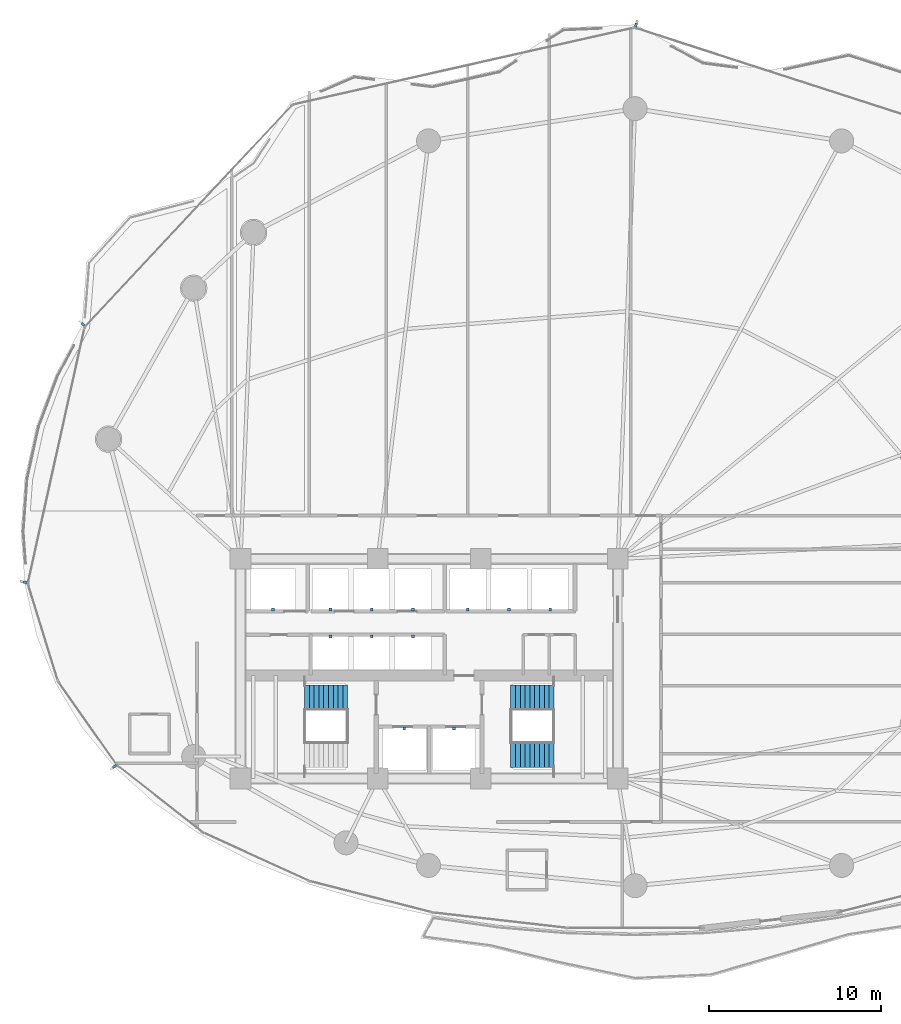
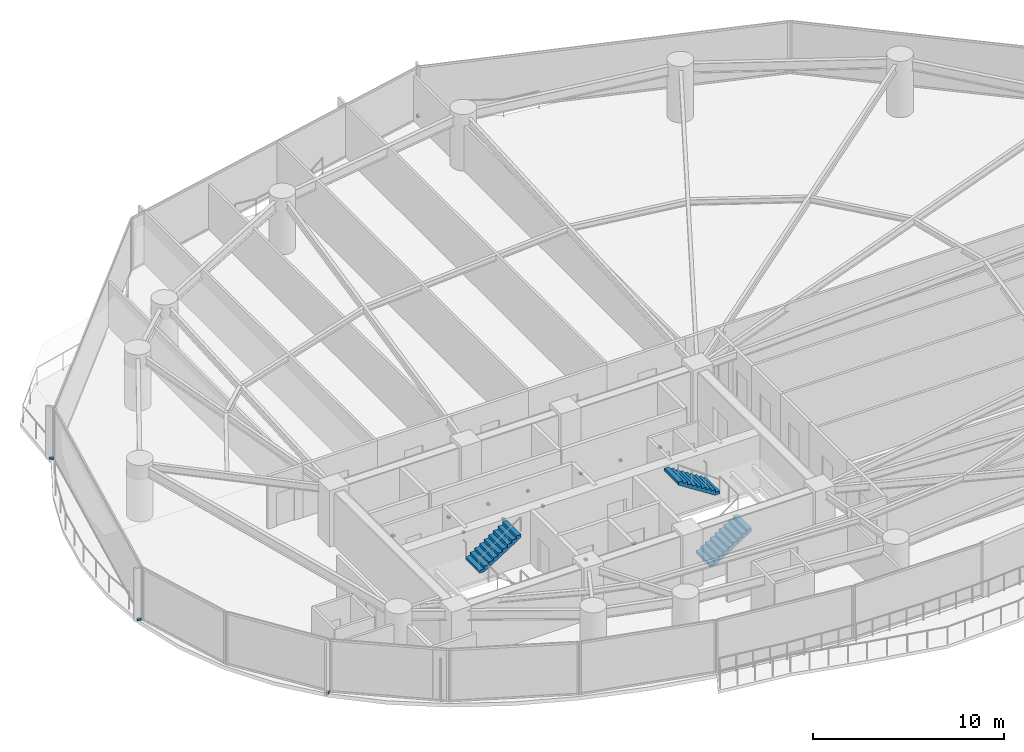
# One storey, part 28 of 33: 16 discrete accessories, 3 stair flights, 2 elements without a shape of their own.
"""IFC4 building model written with IfcOpenShell, lengths in metres."""

from ifc_helpers import new_model, si_unit, direction, frame, origin, origin_2d, place, context, subcontext, project, spatial, polyline, rectangle, outline, extrude, material, layer, layer_set, type_object, element, aggregate, save


model = new_model("IFC4")

# Units and contexts
model_context = context("Model", 3, precision=1e-05, world=origin(), true_north=direction((0.0, 1.0)))
body_context = subcontext(model_context, "Body", "Model", "MODEL_VIEW")
ifc_project = project(units=[si_unit("LENGTHUNIT", "METRE"), si_unit("AREAUNIT", "SQUARE_METRE"), si_unit("VOLUMEUNIT", "CUBIC_METRE"), si_unit("PLANEANGLEUNIT", "RADIAN"), si_unit("MASSUNIT", "GRAM", prefix="KILO")], contexts=[model_context])

# Site, building, storey
site_placement = place(None, origin())
site = spatial("IfcSite", under=ifc_project, at=site_placement, CompositionType="ELEMENT")
building_placement = place(site_placement, origin())
building = spatial("IfcBuilding", under=site, at=building_placement, Name="Kazevale Care Tower and Concert Hall", CompositionType="ELEMENT")
storey_placement = place(building_placement, frame((0.0, 0.0, 52.800048828125)))
storey = spatial("IfcBuildingStorey", under=building, at=storey_placement, Name="L13", CompositionType="ELEMENT", Elevation=52.800048828125)

# Stair, stair flight
ifc_material_1 = material(Name="Concrete C40", Category="concrete")
stair_type = type_object("IfcStairType", Name="Exit Stair Assembly ST1-Z1", PredefinedType="HALF_TURN_STAIR", material=ifc_material_1)
stair_1_placement = place(storey_placement, origin())
stair_1 = element("IfcStair", 1, at=stair_1_placement, inside=storey, type_object=stair_type, Name="stair:L13:ST1", PredefinedType="HALF_TURN_STAIR")
ifc_layer = layer(ifc_material_1, 0.159912109375)
ifc_layer_set = layer_set([ifc_layer], Name="Concrete C40")
stair_flight_type = type_object("IfcStairFlightType", Name="Exit Stair Flight ST1-Z1", PredefinedType="STRAIGHT", material=ifc_layer_set)
stair_flight_1_placement = place(storey_placement, frame((25.72998046875, 28.31005859375, 1.800048828125), z_axis=(0.0, 0.0, 1.0), x_axis=(1.0, 0.0, 0.0)))
stair_flight_1 = element("IfcStairFlight", 2, at=stair_flight_1_placement, type_object=stair_flight_type, Name="ST1-Z1 flight 2", NumberOfRisers=10, NumberOfTreads=9, PredefinedType="STRAIGHT", RiserHeight=0.18, TreadLength=0.28, context=body_context, shape_type="SweptSolid", body=[
    extrude(outline(polyline([(0.0, 0.0), (0.0, 0.179931640625), (0.280029296875, 0.179931640625), (0.280029296875, 0.360107421875), (0.56005859375, 0.360107421875), (0.56005859375, 0.5400390625), (0.840087890625, 0.5400390625), (0.840087890625, 0.719970703125), (1.1201171875, 0.719970703125), (1.1201171875, 0.89990234375), (1.39990234375, 0.89990234375), (1.39990234375, 1.080078125), (1.679931640625, 1.080078125), (1.679931640625, 1.260009765625), (1.9599609375, 1.260009765625), (1.9599609375, 1.43994140625), (2.239990234375, 1.43994140625), (2.239990234375, 1.6201171875), (2.52001953125, 1.6201171875), (2.52001953125, 1.800048828125), (2.52001953125, 1.429931640625), (0.295654296875, 0.0), (0.0, 0.0)])), frame((0.0, 0.739990234375, 0.0), z_axis=(0.0, -1.0, 0.0), x_axis=(1.0, 0.0, 0.0)), (0.0, 0.0, 1.0), 1.47998046875),
])
aggregate(stair_1, [stair_flight_1])

# Stair, stair flights
stair_2_placement = place(storey_placement, origin())
stair_2 = element("IfcStair", 3, at=stair_2_placement, inside=storey, type_object=stair_type, Name="stair:L13:ST2", PredefinedType="HALF_TURN_STAIR")
stair_flight_2_placement = place(storey_placement, frame((37.75, 24.989990234375, 0.0), z_axis=(0.0, 0.0, 1.0), x_axis=(1.0, 0.0, 0.0)))
stair_flight_2 = element("IfcStairFlight", 4, at=stair_flight_2_placement, type_object=stair_flight_type, Name="ST1-Z1 flight 1", NumberOfRisers=10, NumberOfTreads=9, PredefinedType="STRAIGHT", RiserHeight=0.18, TreadLength=0.28, context=body_context, shape_type="SweptSolid", body=[
    extrude(outline(polyline([(0.0, 0.0), (0.0, 0.179931640625), (0.280029296875, 0.179931640625), (0.280029296875, 0.360107421875), (0.56005859375, 0.360107421875), (0.56005859375, 0.5400390625), (0.840087890625, 0.5400390625), (0.840087890625, 0.719970703125), (1.1201171875, 0.719970703125), (1.1201171875, 0.89990234375), (1.39990234375, 0.89990234375), (1.39990234375, 1.080078125), (1.679931640625, 1.080078125), (1.679931640625, 1.260009765625), (1.9599609375, 1.260009765625), (1.9599609375, 1.43994140625), (2.239990234375, 1.43994140625), (2.239990234375, 1.6201171875), (2.52001953125, 1.6201171875), (2.52001953125, 1.800048828125), (2.52001953125, 1.429931640625), (0.295654296875, 0.0), (0.0, 0.0)])), frame((0.0, 0.739990234375, 0.0), z_axis=(0.0, -1.0, 0.0), x_axis=(1.0, 0.0, 0.0)), (0.0, 0.0, 1.0), 1.47998046875),
])
stair_flight_3_placement = place(storey_placement, frame((40.27001953125, 28.31005859375, 1.800048828125), z_axis=(0.0, 0.0, 1.0), x_axis=(-1.0, 0.0, 0.0)))
stair_flight_3 = element("IfcStairFlight", 5, at=stair_flight_3_placement, type_object=stair_flight_type, Name="ST1-Z1 flight 2", NumberOfRisers=10, NumberOfTreads=9, PredefinedType="STRAIGHT", RiserHeight=0.18, TreadLength=0.28, context=body_context, shape_type="SweptSolid", body=[
    extrude(outline(polyline([(0.0, 0.0), (0.0, 0.179931640625), (0.280029296875, 0.179931640625), (0.280029296875, 0.360107421875), (0.56005859375, 0.360107421875), (0.56005859375, 0.5400390625), (0.840087890625, 0.5400390625), (0.840087890625, 0.719970703125), (1.1201171875, 0.719970703125), (1.1201171875, 0.89990234375), (1.39990234375, 0.89990234375), (1.39990234375, 1.080078125), (1.679931640625, 1.080078125), (1.679931640625, 1.260009765625), (1.9599609375, 1.260009765625), (1.9599609375, 1.43994140625), (2.239990234375, 1.43994140625), (2.239990234375, 1.6201171875), (2.52001953125, 1.6201171875), (2.52001953125, 1.800048828125), (2.52001953125, 1.429931640625), (0.295654296875, 0.0), (0.0, 0.0)])), frame((0.0, 0.739990234375, 0.0), z_axis=(0.0, -1.0, 0.0), x_axis=(1.0, 0.0, 0.0)), (0.0, 0.0, 1.0), 1.47998046875),
])
aggregate(stair_2, [stair_flight_2, stair_flight_3])

# Discrete accessories
ifc_material_2 = material(Name="Stainless Steel 316", Category="steel")
discrete_accessory_type_1 = type_object("IfcDiscreteAccessoryType", Name="Facade Fin Stainless Anchor Bracket BRK-1", PredefinedType="BRACKET", material=ifc_material_2)
for number, where, z_axis, x_axis, name in (
    (6, (14.656005859375, 24.298828125, 0.0), (0.0, 0.0, 1.0), (-0.817547124842, -0.575861700985, 0.0), "cw:L13:f11:brk"),
    (7, (9.44677734375, 35.03369140625, 0.0), (0.0, 0.0, 1.0), (-0.97629600712, 0.216439613938, 0.0), "cw:L13:f13:brk"),
    (8, (12.8251953125, 50.068359375, 0.0), (0.0, 0.0, 1.0), (-0.730400739673, 0.683018857343, 0.0), "cw:L13:f14:brk"),
    (9, (45.04931640625, 67.517333984375, 0.0), (0.0, 0.0, 1.0), (0.30785482931, 0.951433341896, 0.0), "cw:L13:f16:brk"),
):
    element("IfcDiscreteAccessory", number, at=place(storey_placement, frame(where, z_axis=z_axis, x_axis=x_axis)), inside=storey, type_object=discrete_accessory_type_1, Name=name, PredefinedType="BRACKET", context=body_context, shape_type="SweptSolid", body=[
        extrude(rectangle(XDim=0.239990234375, YDim=0.139892578125, at=origin_2d()), origin(), (0.0, 0.0, 1.0), 0.1201171875),
    ])
discrete_accessory_type_2 = type_object("IfcDiscreteAccessoryType", Name="Hoistway Guide-Rail Wall Bracket HBRK-1", PredefinedType="BRACKET", material=ifc_material_2)
for number, where, z_axis, x_axis, name in (
    (10, (31.550048828125, 26.52001953125, 1.239990234375), (0.0, 0.0, 1.0), (1.0, 0.0, 0.0), "hbrk:FFL-1:L13"),
    (11, (34.449951171875, 26.52001953125, 1.239990234375), (0.0, 0.0, 1.0), (1.0, 0.0, 0.0), "hbrk:FFL-2:L13"),
    (12, (23.89990234375, 33.449951171875, 1.239990234375), (0.0, 0.0, 1.0), (1.0, 0.0, 0.0), "hbrk:SVL-1:L13"),
    (13, (27.25, 33.449951171875, 1.239990234375), (0.0, 0.0, 1.0), (1.0, 0.0, 0.0), "hbrk:PL-1:L13"),
    (14, (29.64990234375, 33.449951171875, 1.239990234375), (0.0, 0.0, 1.0), (1.0, 0.0, 0.0), "hbrk:PL-2:L13"),
    (15, (32.050048828125, 33.449951171875, 1.239990234375), (0.0, 0.0, 1.0), (1.0, 0.0, 0.0), "hbrk:PL-3:L13"),
    (16, (35.25, 33.449951171875, 1.239990234375), (0.0, 0.0, 1.0), (1.0, 0.0, 0.0), "hbrk:PM-1:L13"),
    (17, (37.64990234375, 33.449951171875, 1.239990234375), (0.0, 0.0, 1.0), (1.0, 0.0, 0.0), "hbrk:PM-2:L13"),
    (18, (40.050048828125, 33.449951171875, 1.239990234375), (0.0, 0.0, 1.0), (1.0, 0.0, 0.0), "hbrk:PM-3:L13"),
    (19, (27.25, 31.8798828125, 1.239990234375), (0.0, 0.0, 1.0), (1.0, 0.0, 0.0), "hbrk:PH-1:L13"),
    (20, (29.64990234375, 31.8798828125, 1.239990234375), (0.0, 0.0, 1.0), (1.0, 0.0, 0.0), "hbrk:PH-2:L13"),
    (21, (32.050048828125, 31.8798828125, 1.239990234375), (0.0, 0.0, 1.0), (1.0, 0.0, 0.0), "hbrk:PH-3:L13"),
):
    element("IfcDiscreteAccessory", number, at=place(storey_placement, frame(where, z_axis=z_axis, x_axis=x_axis)), inside=storey, type_object=discrete_accessory_type_2, Name=name, PredefinedType="BRACKET", context=body_context, shape_type="SweptSolid", body=[
        extrude(rectangle(XDim=0.159912109375, YDim=0.179931640625, at=origin_2d()), origin(), (0.0, 0.0, 1.0), 0.1201171875),
    ])

save(model, "model.ifc")
